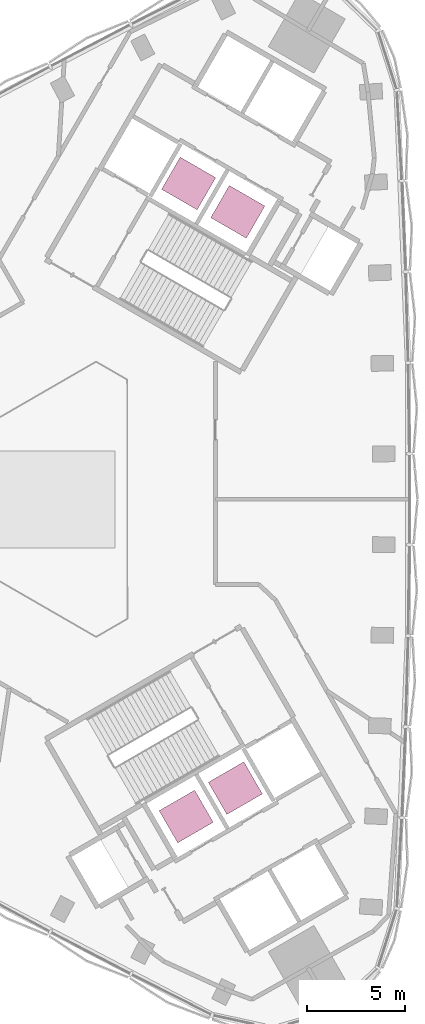
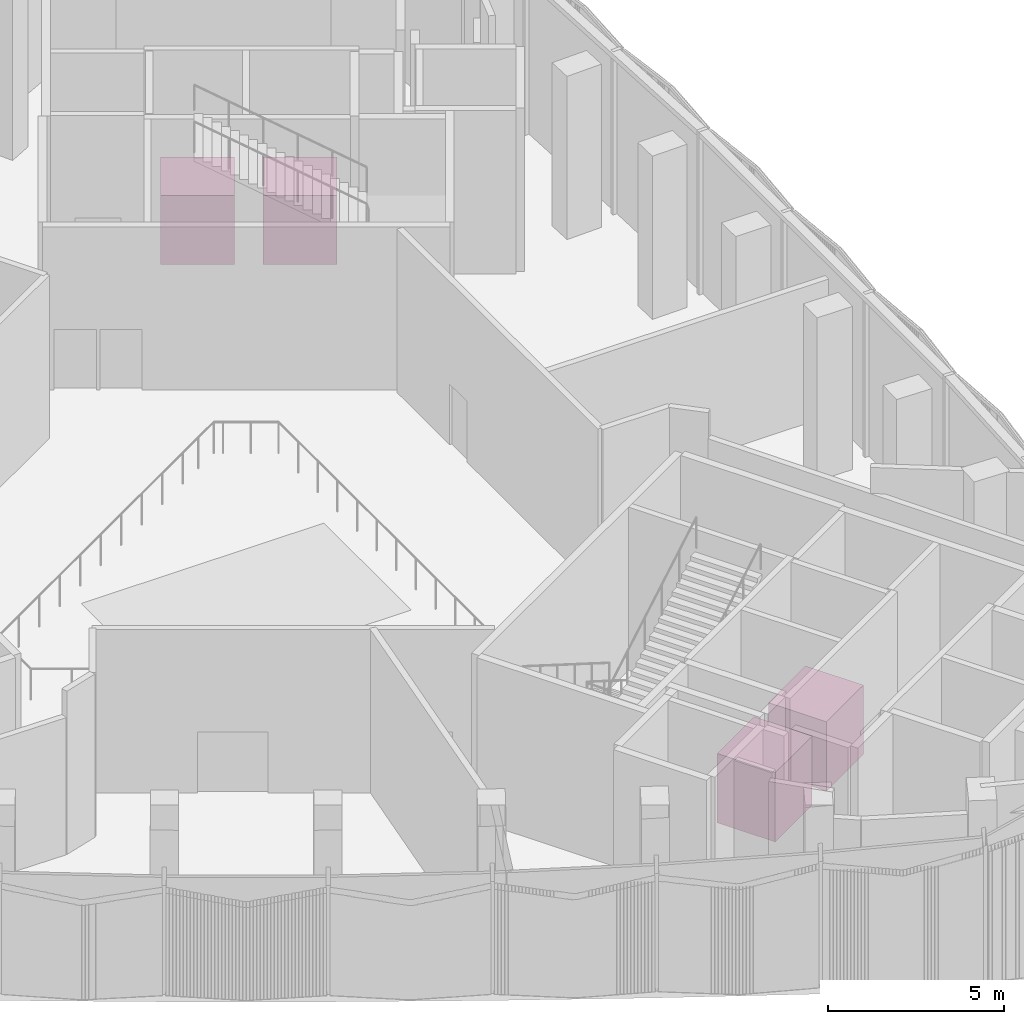
# One storey, part 14 of 14: 4 transport elements.
"""IFC4 building model written with IfcOpenShell, lengths in metres."""

from ifc_helpers import new_model, si_unit, direction, frame, origin, origin_2d, place, context, subcontext, project, spatial, rectangle, extrude, material, type_object, element, save


model = new_model("IFC4")

# Units and contexts
model_context = context("Model", 3, precision=1e-05, world=origin(), true_north=direction((0.0, 1.0)))
body_context = subcontext(model_context, "Body", "Model", "MODEL_VIEW")
ifc_project = project(units=[si_unit("LENGTHUNIT", "METRE"), si_unit("AREAUNIT", "SQUARE_METRE"), si_unit("VOLUMEUNIT", "CUBIC_METRE"), si_unit("PLANEANGLEUNIT", "RADIAN"), si_unit("MASSUNIT", "GRAM", prefix="KILO")], contexts=[model_context])

# Site, building, storey
site_placement = place(None, origin())
site = spatial("IfcSite", under=ifc_project, at=site_placement, CompositionType="ELEMENT")
building_placement = place(site_placement, origin())
building = spatial("IfcBuilding", under=site, at=building_placement, Name="Tamra Quay Hotel Tower", CompositionType="ELEMENT")
storey_placement = place(building_placement, frame((0.0, 0.0, 169.60009765625)))
storey = spatial("IfcBuildingStorey", under=building, at=storey_placement, Name="L42", CompositionType="ELEMENT", Elevation=169.60009765625)

# Transport elements
ifc_material = material(Name="Passenger lift HR 1600 kg")
transport_element_type = type_object("IfcTransportElementType", Name="Passenger lift HR 1600 kg", PredefinedType="ELEVATOR", material=ifc_material)
for number, where, z_axis, x_axis, name in (
    (1, (10.251708984375, 14.706787109375, 0.0), (0.0, 0.0, 1.0), (-0.866025403784, 0.5, 0.0), "Lift HR1"),
    (2, (7.736572265625, 16.158935546875, 0.0), (0.0, 0.0, 1.0), (-0.866025403784, 0.5, 0.0), "Lift HR2"),
    (3, (7.610595703125, -16.231689453125, 0.0), (0.0, 0.0, 1.0), (0.866025403784, 0.5, 0.0), "Lift HR3"),
    (4, (10.125732421875, -14.779541015625, 0.0), (0.0, 0.0, 1.0), (0.866025403784, 0.5, 0.0), "Lift HR4"),
):
    element("IfcTransportElement", number, at=place(storey_placement, frame(where, z_axis=z_axis, x_axis=x_axis)), inside=storey, type_object=transport_element_type, Name=name, PredefinedType="ELEVATOR", context=body_context, shape_type="SweptSolid", body=[
        extrude(rectangle(XDim=2.10009765625, YDim=1.89990234375, at=origin_2d()), origin(), (0.0, 0.0, 1.0), 2.39990234375),
    ])

save(model, "model.ifc")
